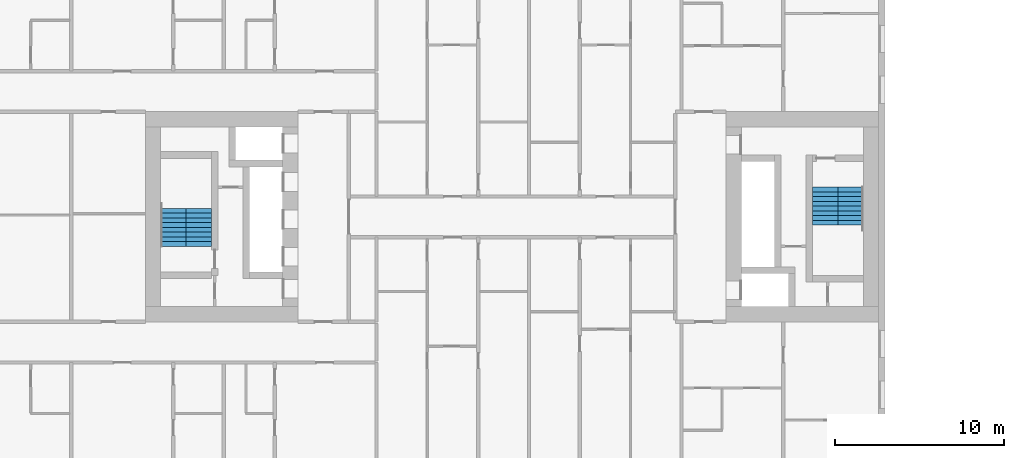
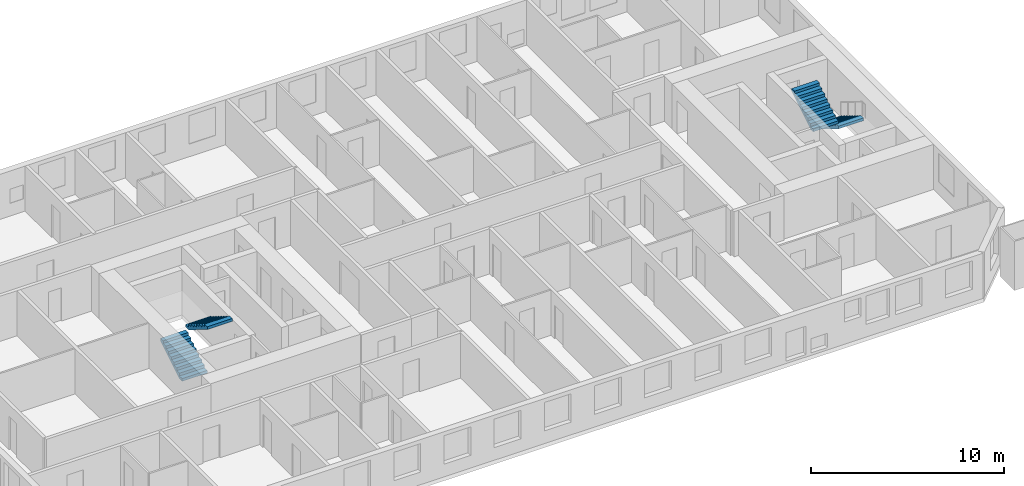
# One storey, part 16 of 17: 4 stair flights, 2 elements without a shape of their own.
"""IFC4 building model written with IfcOpenShell, lengths in metres."""

from ifc_helpers import new_model, si_unit, direction, frame, origin, place, context, subcontext, project, spatial, faceted_brep, material, type_object, element, aggregate, save


model = new_model("IFC4")

# Units and contexts
model_context = context("Model", 3, precision=1e-05, world=origin(), true_north=direction((0.0, 1.0)))
body_context = subcontext(model_context, "Body", "Model", "MODEL_VIEW")
ifc_project = project(units=[si_unit("LENGTHUNIT", "METRE"), si_unit("AREAUNIT", "SQUARE_METRE"), si_unit("VOLUMEUNIT", "CUBIC_METRE"), si_unit("PLANEANGLEUNIT", "RADIAN"), si_unit("MASSUNIT", "GRAM", prefix="KILO")], contexts=[model_context])

# Site, building, storey
site_placement = place(None, origin())
site = spatial("IfcSite", under=ifc_project, at=site_placement, CompositionType="ELEMENT")
building_placement = place(site_placement, origin())
building = spatial("IfcBuilding", under=site, at=building_placement, Name="Tuart Gate Housing", CompositionType="ELEMENT")
storey_placement = place(building_placement, frame((0.0, 0.0, 25.699951171875)))
storey = spatial("IfcBuildingStorey", under=building, at=storey_placement, Name="L06", CompositionType="ELEMENT", Elevation=25.699951171875)

# Stair, stair flights
ifc_material_1 = material(Name="Concrete C40", Category="concrete")
stair_type = type_object("IfcStairType", Name="Core stair 1500", PredefinedType="HALF_TURN_STAIR", material=ifc_material_1)
stair_1_placement = place(storey_placement, origin())
stair_1 = element("IfcStair", 1, at=stair_1_placement, inside=storey, type_object=stair_type, Name="Stair SA1", PredefinedType="HALF_TURN_STAIR")
ifc_material_2 = material(Name="Concrete C40", Category="concrete")
stair_flight_type = type_object("IfcStairFlightType", Name="Stair flight 1500, 9 risers 172 x 280", PredefinedType="STRAIGHT", material=ifc_material_2)
stair_flight_1_placement = place(storey_placement, frame((73.989990234375, 71.75, 0.0), z_axis=(0.0, 0.0, 1.0), x_axis=(0.0, -1.0, 0.0)))
stair_flight_1 = element("IfcStairFlight", 2, at=stair_flight_1_placement, type_object=stair_flight_type, Name="SA1 flight 1", NumberOfRisers=9, NumberOfTreads=8, PredefinedType="STRAIGHT", RiserHeight=0.172222222, TreadLength=0.28, context=body_context, shape_type="Brep", body=[
    faceted_brep([(0.0, 0.75, 0.0), (0.0, 0.75, 0.172119140625), (0.280029296875, 0.75, 0.172119140625), (0.280029296875, 0.75, 0.344482421875), (0.56005859375, 0.75, 0.344482421875), (0.56005859375, 0.75, 0.5166015625), (0.840087890625, 0.75, 0.5166015625), (0.840087890625, 0.75, 0.68896484375), (1.1201171875, 0.75, 0.68896484375), (1.1201171875, 0.75, 0.861083984375), (1.39990234375, 0.75, 0.861083984375), (1.39990234375, 0.75, 1.033447265625), (1.679931640625, 0.75, 1.033447265625), (1.679931640625, 0.75, 1.20556640625), (1.9599609375, 0.75, 1.20556640625), (1.9599609375, 0.75, 1.377685546875), (2.239990234375, 0.75, 1.377685546875), (2.239990234375, 0.75, 1.201904296875), (0.2861328125, 0.75, 0.0), (0.2861328125, -0.75, 0.0), (2.239990234375, -0.75, 1.201904296875), (2.239990234375, -0.75, 1.377685546875), (1.9599609375, -0.75, 1.377685546875), (1.9599609375, -0.75, 1.20556640625), (1.679931640625, -0.75, 1.20556640625), (1.679931640625, -0.75, 1.033447265625), (1.39990234375, -0.75, 1.033447265625), (1.39990234375, -0.75, 0.861083984375), (1.1201171875, -0.75, 0.861083984375), (1.1201171875, -0.75, 0.68896484375), (0.840087890625, -0.75, 0.68896484375), (0.840087890625, -0.75, 0.5166015625), (0.56005859375, -0.75, 0.5166015625), (0.56005859375, -0.75, 0.344482421875), (0.280029296875, -0.75, 0.344482421875), (0.280029296875, -0.75, 0.172119140625), (0.0, -0.75, 0.172119140625), (0.0, -0.75, 0.0), (2.239990234375, 0.0, 1.201904296875), (0.2861328125, 0.0, 0.0), (2.239990234375, 0.0, 1.377685546875), (1.9599609375, 0.0, 1.377685546875), (1.9599609375, 0.0, 1.20556640625), (1.679931640625, 0.0, 1.20556640625), (1.679931640625, 0.0, 1.033447265625), (1.39990234375, 0.0, 1.033447265625), (1.39990234375, 0.0, 0.861083984375), (1.1201171875, 0.0, 0.861083984375), (1.1201171875, 0.0, 0.68896484375), (0.840087890625, 0.0, 0.68896484375), (0.840087890625, 0.0, 0.5166015625), (0.56005859375, 0.0, 0.5166015625), (0.56005859375, 0.0, 0.344482421875), (0.280029296875, 0.0, 0.344482421875), (0.280029296875, 0.0, 0.172119140625), (0.0, 0.0, 0.172119140625), (0.0, 0.0, 0.0)], [[[0, 1, 2, 3, 4, 5, 6, 7, 8, 9, 10, 11, 12, 13, 14, 15, 16, 17, 18]], [[19, 20, 21, 22, 23, 24, 25, 26, 27, 28, 29, 30, 31, 32, 33, 34, 35, 36, 37]], [[18, 17, 38, 39]], [[39, 38, 20, 19]], [[17, 16, 40, 38]], [[38, 40, 21, 20]], [[16, 15, 41, 40]], [[40, 41, 22, 21]], [[15, 14, 42, 41]], [[41, 42, 23, 22]], [[14, 13, 43, 42]], [[42, 43, 24, 23]], [[13, 12, 44, 43]], [[43, 44, 25, 24]], [[12, 11, 45, 44]], [[44, 45, 26, 25]], [[11, 10, 46, 45]], [[45, 46, 27, 26]], [[10, 9, 47, 46]], [[46, 47, 28, 27]], [[9, 8, 48, 47]], [[47, 48, 29, 28]], [[8, 7, 49, 48]], [[48, 49, 30, 29]], [[7, 6, 50, 49]], [[49, 50, 31, 30]], [[6, 5, 51, 50]], [[50, 51, 32, 31]], [[5, 4, 52, 51]], [[51, 52, 33, 32]], [[4, 3, 53, 52]], [[52, 53, 34, 33]], [[3, 2, 54, 53]], [[53, 54, 35, 34]], [[2, 1, 55, 54]], [[54, 55, 36, 35]], [[1, 0, 56, 55]], [[55, 56, 37, 36]], [[0, 18, 39, 56]], [[56, 39, 19, 37]]]),
])
stair_flight_2_placement = place(storey_placement, frame((72.489990234375, 69.510009765625, 1.550048828125), z_axis=(0.0, 0.0, 1.0), x_axis=(0.0, 1.0, 0.0)))
stair_flight_2 = element("IfcStairFlight", 3, at=stair_flight_2_placement, type_object=stair_flight_type, Name="SA1 flight 2", NumberOfRisers=9, NumberOfTreads=8, PredefinedType="STRAIGHT", RiserHeight=0.172222222, TreadLength=0.28, context=body_context, shape_type="Brep", body=[
    faceted_brep([(0.0, 0.75, 0.0), (0.0, 0.75, 0.172119140625), (0.280029296875, 0.75, 0.172119140625), (0.280029296875, 0.75, 0.344482421875), (0.56005859375, 0.75, 0.344482421875), (0.56005859375, 0.75, 0.5166015625), (0.840087890625, 0.75, 0.5166015625), (0.840087890625, 0.75, 0.68896484375), (1.1201171875, 0.75, 0.68896484375), (1.1201171875, 0.75, 0.861083984375), (1.39990234375, 0.75, 0.861083984375), (1.39990234375, 0.75, 1.033447265625), (1.679931640625, 0.75, 1.033447265625), (1.679931640625, 0.75, 1.20556640625), (1.9599609375, 0.75, 1.20556640625), (1.9599609375, 0.75, 1.377685546875), (2.239990234375, 0.75, 1.377685546875), (2.239990234375, 0.75, 1.201904296875), (0.2861328125, 0.75, 0.0), (0.2861328125, -0.75, 0.0), (2.239990234375, -0.75, 1.201904296875), (2.239990234375, -0.75, 1.377685546875), (1.9599609375, -0.75, 1.377685546875), (1.9599609375, -0.75, 1.20556640625), (1.679931640625, -0.75, 1.20556640625), (1.679931640625, -0.75, 1.033447265625), (1.39990234375, -0.75, 1.033447265625), (1.39990234375, -0.75, 0.861083984375), (1.1201171875, -0.75, 0.861083984375), (1.1201171875, -0.75, 0.68896484375), (0.840087890625, -0.75, 0.68896484375), (0.840087890625, -0.75, 0.5166015625), (0.56005859375, -0.75, 0.5166015625), (0.56005859375, -0.75, 0.344482421875), (0.280029296875, -0.75, 0.344482421875), (0.280029296875, -0.75, 0.172119140625), (0.0, -0.75, 0.172119140625), (0.0, -0.75, 0.0), (2.239990234375, 0.0, 1.201904296875), (0.2861328125, 0.0, 0.0), (2.239990234375, 0.0, 1.377685546875), (1.9599609375, 0.0, 1.377685546875), (1.9599609375, 0.0, 1.20556640625), (1.679931640625, 0.0, 1.20556640625), (1.679931640625, 0.0, 1.033447265625), (1.39990234375, 0.0, 1.033447265625), (1.39990234375, 0.0, 0.861083984375), (1.1201171875, 0.0, 0.861083984375), (1.1201171875, 0.0, 0.68896484375), (0.840087890625, 0.0, 0.68896484375), (0.840087890625, 0.0, 0.5166015625), (0.56005859375, 0.0, 0.5166015625), (0.56005859375, 0.0, 0.344482421875), (0.280029296875, 0.0, 0.344482421875), (0.280029296875, 0.0, 0.172119140625), (0.0, 0.0, 0.172119140625), (0.0, 0.0, 0.0)], [[[0, 1, 2, 3, 4, 5, 6, 7, 8, 9, 10, 11, 12, 13, 14, 15, 16, 17, 18]], [[19, 20, 21, 22, 23, 24, 25, 26, 27, 28, 29, 30, 31, 32, 33, 34, 35, 36, 37]], [[18, 17, 38, 39]], [[39, 38, 20, 19]], [[17, 16, 40, 38]], [[38, 40, 21, 20]], [[16, 15, 41, 40]], [[40, 41, 22, 21]], [[15, 14, 42, 41]], [[41, 42, 23, 22]], [[14, 13, 43, 42]], [[42, 43, 24, 23]], [[13, 12, 44, 43]], [[43, 44, 25, 24]], [[12, 11, 45, 44]], [[44, 45, 26, 25]], [[11, 10, 46, 45]], [[45, 46, 27, 26]], [[10, 9, 47, 46]], [[46, 47, 28, 27]], [[9, 8, 48, 47]], [[47, 48, 29, 28]], [[8, 7, 49, 48]], [[48, 49, 30, 29]], [[7, 6, 50, 49]], [[49, 50, 31, 30]], [[6, 5, 51, 50]], [[50, 51, 32, 31]], [[5, 4, 52, 51]], [[51, 52, 33, 32]], [[4, 3, 53, 52]], [[52, 53, 34, 33]], [[3, 2, 54, 53]], [[53, 54, 35, 34]], [[2, 1, 55, 54]], [[54, 55, 36, 35]], [[1, 0, 56, 55]], [[55, 56, 37, 36]], [[0, 18, 39, 56]], [[56, 39, 19, 37]]]),
])
aggregate(stair_1, [stair_flight_1, stair_flight_2])

stair_2_placement = place(storey_placement, origin())
stair_2 = element("IfcStair", 4, at=stair_2_placement, inside=storey, type_object=stair_type, Name="Stair SA2", PredefinedType="HALF_TURN_STAIR")
stair_flight_3_placement = place(storey_placement, frame((34.010009765625, 68.25, 0.0), z_axis=(0.0, 0.0, 1.0), x_axis=(0.0, 1.0, 0.0)))
stair_flight_3 = element("IfcStairFlight", 5, at=stair_flight_3_placement, type_object=stair_flight_type, Name="SA2 flight 1", NumberOfRisers=9, NumberOfTreads=8, PredefinedType="STRAIGHT", RiserHeight=0.172222222, TreadLength=0.28, context=body_context, shape_type="Brep", body=[
    faceted_brep([(0.0, 0.75, 0.0), (0.0, 0.75, 0.172119140625), (0.280029296875, 0.75, 0.172119140625), (0.280029296875, 0.75, 0.344482421875), (0.56005859375, 0.75, 0.344482421875), (0.56005859375, 0.75, 0.5166015625), (0.840087890625, 0.75, 0.5166015625), (0.840087890625, 0.75, 0.68896484375), (1.1201171875, 0.75, 0.68896484375), (1.1201171875, 0.75, 0.861083984375), (1.39990234375, 0.75, 0.861083984375), (1.39990234375, 0.75, 1.033447265625), (1.679931640625, 0.75, 1.033447265625), (1.679931640625, 0.75, 1.20556640625), (1.9599609375, 0.75, 1.20556640625), (1.9599609375, 0.75, 1.377685546875), (2.239990234375, 0.75, 1.377685546875), (2.239990234375, 0.75, 1.201904296875), (0.2861328125, 0.75, 0.0), (0.2861328125, -0.75, 0.0), (2.239990234375, -0.75, 1.201904296875), (2.239990234375, -0.75, 1.377685546875), (1.9599609375, -0.75, 1.377685546875), (1.9599609375, -0.75, 1.20556640625), (1.679931640625, -0.75, 1.20556640625), (1.679931640625, -0.75, 1.033447265625), (1.39990234375, -0.75, 1.033447265625), (1.39990234375, -0.75, 0.861083984375), (1.1201171875, -0.75, 0.861083984375), (1.1201171875, -0.75, 0.68896484375), (0.840087890625, -0.75, 0.68896484375), (0.840087890625, -0.75, 0.5166015625), (0.56005859375, -0.75, 0.5166015625), (0.56005859375, -0.75, 0.344482421875), (0.280029296875, -0.75, 0.344482421875), (0.280029296875, -0.75, 0.172119140625), (0.0, -0.75, 0.172119140625), (0.0, -0.75, 0.0), (2.239990234375, 0.0, 1.201904296875), (0.2861328125, 0.0, 0.0), (2.239990234375, 0.0, 1.377685546875), (1.9599609375, 0.0, 1.377685546875), (1.9599609375, 0.0, 1.20556640625), (1.679931640625, 0.0, 1.20556640625), (1.679931640625, 0.0, 1.033447265625), (1.39990234375, 0.0, 1.033447265625), (1.39990234375, 0.0, 0.861083984375), (1.1201171875, 0.0, 0.861083984375), (1.1201171875, 0.0, 0.68896484375), (0.840087890625, 0.0, 0.68896484375), (0.840087890625, 0.0, 0.5166015625), (0.56005859375, 0.0, 0.5166015625), (0.56005859375, 0.0, 0.344482421875), (0.280029296875, 0.0, 0.344482421875), (0.280029296875, 0.0, 0.172119140625), (0.0, 0.0, 0.172119140625), (0.0, 0.0, 0.0)], [[[0, 1, 2, 3, 4, 5, 6, 7, 8, 9, 10, 11, 12, 13, 14, 15, 16, 17, 18]], [[19, 20, 21, 22, 23, 24, 25, 26, 27, 28, 29, 30, 31, 32, 33, 34, 35, 36, 37]], [[18, 17, 38, 39]], [[39, 38, 20, 19]], [[17, 16, 40, 38]], [[38, 40, 21, 20]], [[16, 15, 41, 40]], [[40, 41, 22, 21]], [[15, 14, 42, 41]], [[41, 42, 23, 22]], [[14, 13, 43, 42]], [[42, 43, 24, 23]], [[13, 12, 44, 43]], [[43, 44, 25, 24]], [[12, 11, 45, 44]], [[44, 45, 26, 25]], [[11, 10, 46, 45]], [[45, 46, 27, 26]], [[10, 9, 47, 46]], [[46, 47, 28, 27]], [[9, 8, 48, 47]], [[47, 48, 29, 28]], [[8, 7, 49, 48]], [[48, 49, 30, 29]], [[7, 6, 50, 49]], [[49, 50, 31, 30]], [[6, 5, 51, 50]], [[50, 51, 32, 31]], [[5, 4, 52, 51]], [[51, 52, 33, 32]], [[4, 3, 53, 52]], [[52, 53, 34, 33]], [[3, 2, 54, 53]], [[53, 54, 35, 34]], [[2, 1, 55, 54]], [[54, 55, 36, 35]], [[1, 0, 56, 55]], [[55, 56, 37, 36]], [[0, 18, 39, 56]], [[56, 39, 19, 37]]]),
])
stair_flight_4_placement = place(storey_placement, frame((35.510009765625, 70.489990234375, 1.550048828125), z_axis=(0.0, 0.0, 1.0), x_axis=(0.0, -1.0, 0.0)))
stair_flight_4 = element("IfcStairFlight", 6, at=stair_flight_4_placement, type_object=stair_flight_type, Name="SA2 flight 2", NumberOfRisers=9, NumberOfTreads=8, PredefinedType="STRAIGHT", RiserHeight=0.172222222, TreadLength=0.28, context=body_context, shape_type="Brep", body=[
    faceted_brep([(0.0, 0.75, 0.0), (0.0, 0.75, 0.172119140625), (0.280029296875, 0.75, 0.172119140625), (0.280029296875, 0.75, 0.344482421875), (0.56005859375, 0.75, 0.344482421875), (0.56005859375, 0.75, 0.5166015625), (0.840087890625, 0.75, 0.5166015625), (0.840087890625, 0.75, 0.68896484375), (1.1201171875, 0.75, 0.68896484375), (1.1201171875, 0.75, 0.861083984375), (1.39990234375, 0.75, 0.861083984375), (1.39990234375, 0.75, 1.033447265625), (1.679931640625, 0.75, 1.033447265625), (1.679931640625, 0.75, 1.20556640625), (1.9599609375, 0.75, 1.20556640625), (1.9599609375, 0.75, 1.377685546875), (2.239990234375, 0.75, 1.377685546875), (2.239990234375, 0.75, 1.201904296875), (0.2861328125, 0.75, 0.0), (0.2861328125, -0.75, 0.0), (2.239990234375, -0.75, 1.201904296875), (2.239990234375, -0.75, 1.377685546875), (1.9599609375, -0.75, 1.377685546875), (1.9599609375, -0.75, 1.20556640625), (1.679931640625, -0.75, 1.20556640625), (1.679931640625, -0.75, 1.033447265625), (1.39990234375, -0.75, 1.033447265625), (1.39990234375, -0.75, 0.861083984375), (1.1201171875, -0.75, 0.861083984375), (1.1201171875, -0.75, 0.68896484375), (0.840087890625, -0.75, 0.68896484375), (0.840087890625, -0.75, 0.5166015625), (0.56005859375, -0.75, 0.5166015625), (0.56005859375, -0.75, 0.344482421875), (0.280029296875, -0.75, 0.344482421875), (0.280029296875, -0.75, 0.172119140625), (0.0, -0.75, 0.172119140625), (0.0, -0.75, 0.0), (2.239990234375, 0.0, 1.201904296875), (0.2861328125, 0.0, 0.0), (2.239990234375, 0.0, 1.377685546875), (1.9599609375, 0.0, 1.377685546875), (1.9599609375, 0.0, 1.20556640625), (1.679931640625, 0.0, 1.20556640625), (1.679931640625, 0.0, 1.033447265625), (1.39990234375, 0.0, 1.033447265625), (1.39990234375, 0.0, 0.861083984375), (1.1201171875, 0.0, 0.861083984375), (1.1201171875, 0.0, 0.68896484375), (0.840087890625, 0.0, 0.68896484375), (0.840087890625, 0.0, 0.5166015625), (0.56005859375, 0.0, 0.5166015625), (0.56005859375, 0.0, 0.344482421875), (0.280029296875, 0.0, 0.344482421875), (0.280029296875, 0.0, 0.172119140625), (0.0, 0.0, 0.172119140625), (0.0, 0.0, 0.0)], [[[0, 1, 2, 3, 4, 5, 6, 7, 8, 9, 10, 11, 12, 13, 14, 15, 16, 17, 18]], [[19, 20, 21, 22, 23, 24, 25, 26, 27, 28, 29, 30, 31, 32, 33, 34, 35, 36, 37]], [[18, 17, 38, 39]], [[39, 38, 20, 19]], [[17, 16, 40, 38]], [[38, 40, 21, 20]], [[16, 15, 41, 40]], [[40, 41, 22, 21]], [[15, 14, 42, 41]], [[41, 42, 23, 22]], [[14, 13, 43, 42]], [[42, 43, 24, 23]], [[13, 12, 44, 43]], [[43, 44, 25, 24]], [[12, 11, 45, 44]], [[44, 45, 26, 25]], [[11, 10, 46, 45]], [[45, 46, 27, 26]], [[10, 9, 47, 46]], [[46, 47, 28, 27]], [[9, 8, 48, 47]], [[47, 48, 29, 28]], [[8, 7, 49, 48]], [[48, 49, 30, 29]], [[7, 6, 50, 49]], [[49, 50, 31, 30]], [[6, 5, 51, 50]], [[50, 51, 32, 31]], [[5, 4, 52, 51]], [[51, 52, 33, 32]], [[4, 3, 53, 52]], [[52, 53, 34, 33]], [[3, 2, 54, 53]], [[53, 54, 35, 34]], [[2, 1, 55, 54]], [[54, 55, 36, 35]], [[1, 0, 56, 55]], [[55, 56, 37, 36]], [[0, 18, 39, 56]], [[56, 39, 19, 37]]]),
])
aggregate(stair_2, [stair_flight_3, stair_flight_4])

save(model, "model.ifc")
